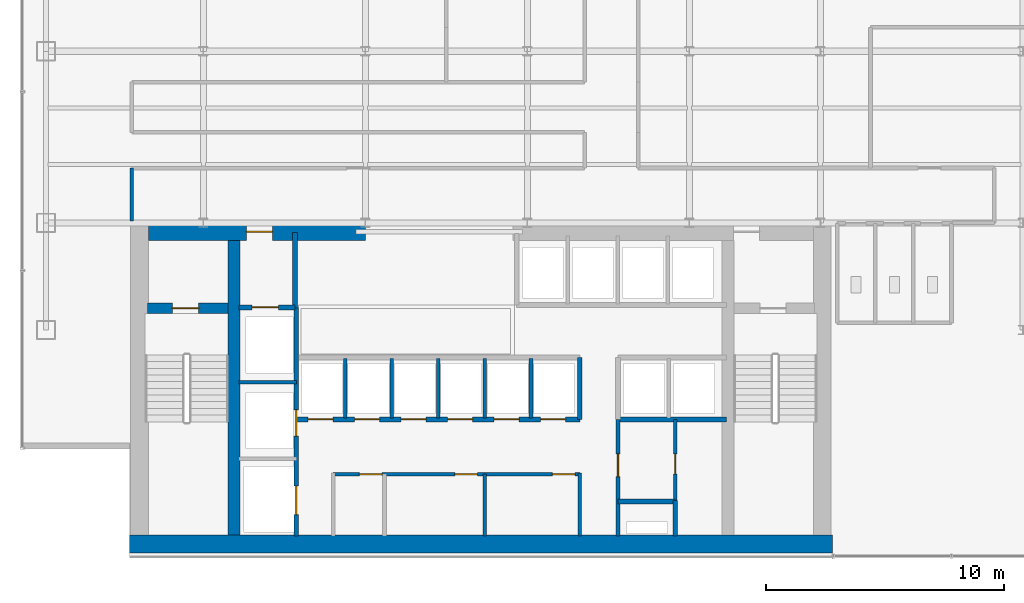
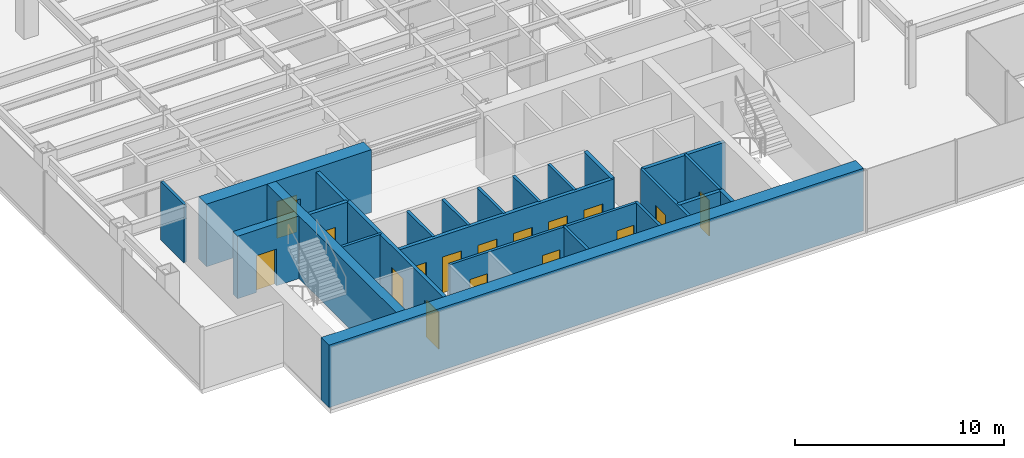
# One storey, part 21 of 26: 24 walls, 16 doors, 16 openings.
"""IFC4 building model written with IfcOpenShell, lengths in metres."""

import ifcopenshell
import ifcopenshell.guid

model = None  # the IFC model being written
_history = None  # IfcOwnerHistory: only IFC2X3 demands one
_inside = {}  # id of a spatial element -> (the spatial element, [elements in it])
_under = {}  # id of a project, library or spatial element -> (it, [spatial elements below it])
_declared = {}  # id of a project -> (the project, [libraries it declares])
_typed = {}  # id of a type object -> (the type object, [elements of that type])
_made_of = {}  # id of a material, layer set ... -> (it, [elements and type objects made of it])


def new_model(schema):
    """Start an empty IFC model of exactly this schema.

    Asked for "IFC4X3", IfcOpenShell would pick the latest addendum, in which some entities
    have other attributes; the version numbers below select the first issue.
    IFC2X3 requires an IfcOwnerHistory on every rooted entity: one is made here for all.
    """
    global model, _history
    if schema == "IFC4X3":
        model = ifcopenshell.file(schema_version=(4, 3, 0, 0))
    else:
        model = ifcopenshell.file(schema=schema)
    _inside.clear()
    _under.clear()
    _declared.clear()
    _typed.clear()
    _made_of.clear()
    _history = None
    if model.schema == "IFC2X3":
        org = make("IfcOrganization", Name="unknown")
        user = make(
            "IfcPersonAndOrganization",
            ThePerson=make("IfcPerson", FamilyName="unknown"),
            TheOrganization=org,
        )
        app = make(
            "IfcApplication",
            ApplicationDeveloper=org,
            Version="unknown",
            ApplicationFullName="unknown",
            ApplicationIdentifier="unknown",
        )
        _history = make(
            "IfcOwnerHistory",
            OwningUser=user,
            OwningApplication=app,
            ChangeAction="ADDED",
            CreationDate=0,
        )
    return model


def make(cls, **values):
    """One entity of the class cls with the attributes given. An attribute that is None is left unset."""
    return model.create_entity(
        cls, **{name: value for name, value in values.items() if value is not None}
    )


def rooted(cls, **values):
    """An entity with a GlobalId (a new one), such as an element, a storey or a relation."""
    return make(cls, GlobalId=ifcopenshell.guid.new(), OwnerHistory=_history, **values)


def si_unit(unit_type, name, prefix=None):
    """IfcSIUnit, for example si_unit("LENGTHUNIT", "METRE", prefix="MILLI")."""
    return make("IfcSIUnit", UnitType=unit_type, Prefix=prefix, Name=name)


def derived_unit(unit_type, elements):
    """IfcDerivedUnit: a product of units, each with its exponent."""
    return make(
        "IfcDerivedUnit",
        Elements=[
            make("IfcDerivedUnitElement", Unit=unit, Exponent=power)
            for unit, power in elements
        ],
        UnitType=unit_type,
    )


def assignment(units):
    """IfcUnitAssignment: the units of a project."""
    return None if units is None else make("IfcUnitAssignment", Units=units)


def point(xyz):
    """IfcCartesianPoint."""
    return None if xyz is None else make("IfcCartesianPoint", Coordinates=xyz)


def direction(xyz):
    """IfcDirection."""
    return None if xyz is None else make("IfcDirection", DirectionRatios=xyz)


def frame(location, z_axis=None, x_axis=None):
    """IfcAxis2Placement3D, a coordinate frame: its origin and axes. An axis left out is left unset."""
    return make(
        "IfcAxis2Placement3D",
        Location=point(location),
        Axis=direction(z_axis),
        RefDirection=direction(x_axis),
    )


def frame_2d(location, x_axis=None):
    """IfcAxis2Placement2D, a coordinate frame in the plane: its origin and x axis."""
    return make(
        "IfcAxis2Placement2D", Location=point(location), RefDirection=direction(x_axis)
    )


def origin():
    """The frame at (0, 0, 0) with its axes left unset."""
    return frame((0.0, 0.0, 0.0))


def place(relative_to, where):
    """IfcLocalPlacement: puts the frame where relative to a parent placement (None: the world)."""
    return make(
        "IfcLocalPlacement", PlacementRelTo=relative_to, RelativePlacement=where
    )


def context(
    kind, dimensions, precision=None, world=None, true_north=None, identifier=None
):
    """IfcGeometricRepresentationContext, for example the 3D "Model" context."""
    return make(
        "IfcGeometricRepresentationContext",
        ContextIdentifier=identifier,
        ContextType=kind,
        CoordinateSpaceDimension=dimensions,
        Precision=precision,
        WorldCoordinateSystem=world,
        TrueNorth=true_north,
    )


def subcontext(parent, identifier, kind, view, scale=None):
    """IfcGeometricRepresentationSubContext, for example "Body" below "Model"."""
    return make(
        "IfcGeometricRepresentationSubContext",
        ContextIdentifier=identifier,
        ContextType=kind,
        ParentContext=parent,
        TargetScale=scale,
        TargetView=view,
    )


def project(units=None, contexts=None):
    """IfcProject with its units and contexts."""
    return rooted(
        "IfcProject",
        Name="project",
        RepresentationContexts=contexts,
        UnitsInContext=assignment(units),
    )


def spatial(cls, under=None, at=None, **own):
    """A site, building, storey or space (cls), placed at a placement, below another one or the project."""
    s = rooted(cls, ObjectPlacement=at, **own)
    if under is not None:
        _under.setdefault(under.id(), (under, []))[1].append(s)
    return s


def profile(cls, at=None, kind="AREA", **sizes):
    """A parametric profile (cls). Its sizes go by their IFC names, for example OverallWidth=200.0."""
    return make(cls, ProfileType=kind, Position=at, **sizes)


def rectangle(**sizes):
    """IfcRectangleProfileDef."""
    return profile("IfcRectangleProfileDef", **sizes)


def extrude(swept, where, along, depth):
    """IfcExtrudedAreaSolid: the profile swept, set in the frame where, extruded along a direction by depth."""
    return make(
        "IfcExtrudedAreaSolid",
        SweptArea=swept,
        Position=where,
        ExtrudedDirection=direction(along),
        Depth=depth,
    )


def shape(context_of_items, identifier, shape_type, items):
    """IfcShapeRepresentation: the items that make up one representation, for example the "Body"."""
    return make(
        "IfcShapeRepresentation",
        ContextOfItems=context_of_items,
        RepresentationIdentifier=identifier,
        RepresentationType=shape_type,
        Items=items,
    )


def source(mapping_origin, context_of_items, identifier, shape_type, items):
    """IfcRepresentationMap: a shape defined once, which mapped items show again and again."""
    return make(
        "IfcRepresentationMap",
        MappingOrigin=mapping_origin,
        MappedRepresentation=shape(context_of_items, identifier, shape_type, items),
    )


def transform(
    local_origin,
    x_axis=None,
    y_axis=None,
    z_axis=None,
    scale=None,
    scale2=None,
    scale3=None,
    uniform=True,
):
    """IfcCartesianTransformationOperator3D, or its non-uniform kind. x_axis, y_axis, z_axis: its Axis1, 2, 3."""
    if uniform:
        return make(
            "IfcCartesianTransformationOperator3D",
            Axis1=direction(x_axis),
            Axis2=direction(y_axis),
            LocalOrigin=point(local_origin),
            Scale=scale,
            Axis3=direction(z_axis),
        )
    return make(
        "IfcCartesianTransformationOperator3DnonUniform",
        Axis1=direction(x_axis),
        Axis2=direction(y_axis),
        LocalOrigin=point(local_origin),
        Scale=scale,
        Axis3=direction(z_axis),
        Scale2=scale2,
        Scale3=scale3,
    )


def mapped(mapping_source, mapping_target):
    """IfcMappedItem: shows the shape of a source again, moved by a transform."""
    return make(
        "IfcMappedItem", MappingSource=mapping_source, MappingTarget=mapping_target
    )


def material(Name=None, Category=None):
    """IfcMaterial."""
    return make("IfcMaterial", Name=Name, Category=Category)


def layer(
    of_material, thickness, ventilated=None, Name=None, Category=None, Priority=None
):
    """IfcMaterialLayer: one layer of a wall or slab, of a material (None: an air gap)."""
    return make(
        "IfcMaterialLayer",
        Material=of_material,
        LayerThickness=thickness,
        IsVentilated=ventilated,
        Name=Name,
        Category=Category,
        Priority=Priority,
    )


def layer_set(layers, Name=None):
    """IfcMaterialLayerSet."""
    return make("IfcMaterialLayerSet", MaterialLayers=layers, LayerSetName=Name)


def made_of(thing, what):
    """Note that an element or type object is made of a material, layer set ...; save() writes the relation."""
    if what is not None:
        _made_of.setdefault(what.id(), (what, []))[1].append(thing)
    return thing


def type_object(cls, material=None, **own):
    """A type object (cls), such as IfcWallType, which elements share."""
    return made_of(rooted(cls, **own), material)


def element(
    cls,
    number,
    at=None,
    inside=None,
    cuts=None,
    type_object=None,
    material=None,
    context=None,
    identifier="Body",
    shape_type=None,
    held_by="IfcProductDefinitionShape",
    body=None,
    shapes=None,
    **own,
):
    """One element of the class cls, such as IfcWall. Its Tag is "e" and its number.

    at: its placement. inside: the storey or other place that contains it. cuts: it is an
    opening in that element (IfcRelVoidsElement). A single representation is given by context,
    identifier, shape_type and body (its items); several are given by shapes. held_by: the class
    of the entity that holds the representations. save() writes the other relations.
    """
    e = rooted(cls, Tag="e%d" % number, ObjectPlacement=at, **own)
    if body is not None:
        shapes = [shape(context, identifier, shape_type, body)]
    if shapes is not None:
        e.Representation = make(held_by, Representations=shapes)
    if inside is not None:
        _inside.setdefault(inside.id(), (inside, []))[1].append(e)
    if cuts is not None:
        rooted(
            "IfcRelVoidsElement", RelatingBuildingElement=cuts, RelatedOpeningElement=e
        )
    if type_object is not None:
        _typed.setdefault(type_object.id(), (type_object, []))[1].append(e)
    return made_of(e, material)


def fill(opening, filler):
    """IfcRelFillsElement: the door or window that sits in an opening."""
    return rooted(
        "IfcRelFillsElement",
        RelatingOpeningElement=opening,
        RelatedBuildingElement=filler,
    )


def aggregate(whole, parts):
    """IfcRelAggregates: a whole, such as a stair, and the parts it consists of."""
    return rooted("IfcRelAggregates", RelatingObject=whole, RelatedObjects=parts)


def save(model, path):
    """Write the relations noted so far, then the file.

    IfcRelAggregates (storeys below a building ...), IfcRelContainedInSpatialStructure (elements
    in a storey), IfcRelDefinesByType, IfcRelAssociatesMaterial and IfcRelDeclares: one each for
    every whole, place, type object, material and project.
    """
    for whole, parts in _under.values():
        aggregate(whole, parts)
    for where, things in _inside.values():
        rooted(
            "IfcRelContainedInSpatialStructure",
            RelatedElements=things,
            RelatingStructure=where,
        )
    for kind, things in _typed.values():
        rooted("IfcRelDefinesByType", RelatedObjects=things, RelatingType=kind)
    for what, things in _made_of.values():
        rooted("IfcRelAssociatesMaterial", RelatedObjects=things, RelatingMaterial=what)
    for by, libraries in _declared.values():
        rooted("IfcRelDeclares", RelatingContext=by, RelatedDefinitions=libraries)
    model.write(path)


model = new_model("IFC4")

# Units and contexts
model_context = context("Model", 3, precision=1e-05, world=origin(), true_north=direction((0.0, 1.0)))
body_context = subcontext(model_context, "Body", "Model", "MODEL_VIEW")
ifc_project = project(units=[si_unit("LENGTHUNIT", "METRE"), si_unit("AREAUNIT", "SQUARE_METRE"), si_unit("VOLUMEUNIT", "CUBIC_METRE"), si_unit("PLANEANGLEUNIT", "RADIAN"), si_unit("MASSUNIT", "GRAM", prefix="KILO"), derived_unit("THERMALTRANSMITTANCEUNIT", [(si_unit("POWERUNIT", "WATT"), 1), (si_unit("LENGTHUNIT", "METRE"), -2), (si_unit("THERMODYNAMICTEMPERATUREUNIT", "KELVIN"), -1)])], contexts=[model_context])

# Site, building, storey
site_placement = place(None, origin())
site = spatial("IfcSite", under=ifc_project, at=site_placement, CompositionType="ELEMENT")
building_placement = place(site_placement, origin())
building = spatial("IfcBuilding", under=site, at=building_placement, Name="Skarnbrae Concourse Arena and Tower", CompositionType="ELEMENT")
storey_placement = place(building_placement, frame((0.0, 0.0, 114.199951171875)))
storey = spatial("IfcBuildingStorey", under=building, at=storey_placement, Name="L28", CompositionType="ELEMENT", Elevation=114.199951171875)

# Wall, opening, door
ifc_material_1 = material(Name="Concrete 50 MPa (C50/60)", Category="concrete")
ifc_layer_1 = layer(ifc_material_1, 0.449951171875)
ifc_layer_set_1 = layer_set([ifc_layer_1], Name="Concrete 50 MPa (C50/60)")
wall_type_1 = type_object("IfcWallType", Name="WALL-CORE-450-C50", PredefinedType="SHEAR", material=ifc_layer_set_1)
shared_shape_1 = source(origin(), body_context, "Body", "SweptSolid", [
    extrude(rectangle(XDim=3.389892578125, YDim=0.449951171875, at=frame_2d((1.69482421875, 0.0))), origin(), (0.0, 0.0, 1.0), 3.650146484375),
])
wall_1_placement = place(storey_placement, frame((5.25, 10.419921875, 0.0), z_axis=(0.0, 0.0, 1.0), x_axis=(1.0, 0.0, 0.0)))
wall_1 = element("IfcWall", 1, at=wall_1_placement, inside=storey, type_object=wall_type_1, Name="L28 Rear core shear wall CW-ST1-N", PredefinedType="SHEAR", context=body_context, shape_type="MappedRepresentation", body=[
    mapped(shared_shape_1, transform((0.0, 0.0, 0.0))),
])
opening_1_placement = place(wall_1_placement, frame((1.050048828125, 0.0, 0.0)))
opening_1 = element("IfcOpeningElement", 2, at=opening_1_placement, cuts=wall_1, Name="Opening DT-03", PredefinedType="OPENING", context=body_context, shape_type="SweptSolid", body=[
    extrude(rectangle(XDim=1.10009765625, YDim=2.14990234375, at=frame_2d((0.550048828125, 1.074951171875))), frame((0.0, 0.23486328125, 0.0), z_axis=(0.0, -1.0, 0.0), x_axis=(1.0, 0.0, 0.0)), (0.0, 0.0, 1.0), 0.469970703125),
])
ifc_material_2 = material(Name="Steel CSA G40.21 350W", Category="steel")
door_type_1 = type_object("IfcDoorType", Name="DOOR-FIRE-1100-90M", OperationType="NOTDEFINED", PredefinedType="DOOR", material=ifc_material_2)
shared_shape_2 = source(origin(), body_context, "Body", "SweptSolid", [
    extrude(rectangle(XDim=1.10009765625, YDim=2.14990234375, at=frame_2d((0.550048828125, 1.074951171875))), frame((0.0, 0.02490234375, 0.0), z_axis=(0.0, -1.0, 0.0), x_axis=(1.0, 0.0, 0.0)), (0.0, 0.0, 1.0), 0.050048828125),
])
door_1_placement = place(opening_1_placement, frame((1.10009765625, 0.0, 0.0), z_axis=(0.0, 0.0, 1.0), x_axis=(-1.0, 0.0, 0.0)))
door_1 = element("IfcDoor", 3, at=door_1_placement, inside=storey, type_object=door_type_1, Name="D-0921 Stair ST-1 Door", OperationType="SINGLE_SWING_LEFT", OverallHeight=2.14990234375, OverallWidth=1.10009765625, PredefinedType="DOOR", context=body_context, shape_type="MappedRepresentation", body=[
    mapped(shared_shape_2, transform((0.0, 0.0, 0.0))),
])
fill(opening_1, door_1)

# Wall
ifc_material_3 = material(Name="Concrete 60 MPa (C60/75)", Category="concrete")
ifc_layer_2 = layer(ifc_material_3, 0.75)
ifc_layer_set_2 = layer_set([ifc_layer_2], Name="Concrete 60 MPa (C60/75)")
wall_type_2 = type_object("IfcWallType", Name="WALL-CORE-750-C60", PredefinedType="SHEAR", material=ifc_layer_set_2)
shared_shape_3 = source(origin(), body_context, "Body", "SweptSolid", [
    extrude(rectangle(XDim=29.5, YDim=0.75, at=frame_2d((14.75, 0.0))), origin(), (0.0, 0.0, 1.0), 3.650146484375),
])
wall_2_placement = place(storey_placement, frame((4.5, 0.52490234375, 0.0), z_axis=(0.0, 0.0, 1.0), x_axis=(1.0, 0.0, 0.0)))
element("IfcWall", 4, at=wall_2_placement, inside=storey, type_object=wall_type_2, Name="L28 Rear core shear wall CW-S", PredefinedType="SHEAR", context=body_context, shape_type="MappedRepresentation", body=[
    mapped(shared_shape_3, transform((0.0, 0.0, 0.0))),
])

# Wall, opening, door
shared_shape_4 = source(origin(), body_context, "Body", "SweptSolid", [
    extrude(rectangle(XDim=9.099853515625, YDim=0.75, at=frame_2d((4.5498046875, 0.0))), origin(), (0.0, 0.0, 1.0), 3.650146484375),
])
wall_3_placement = place(storey_placement, frame((5.300048828125, 13.625, 0.0), z_axis=(0.0, 0.0, 1.0), x_axis=(1.0, 0.0, 0.0)))
wall_3 = element("IfcWall", 5, at=wall_3_placement, inside=storey, type_object=wall_type_2, Name="L28 Rear core shear wall CW-NW", PredefinedType="SHEAR", context=body_context, shape_type="MappedRepresentation", body=[
    mapped(shared_shape_4, transform((0.0, 0.0, 0.0))),
])
opening_2_placement = place(wall_3_placement, frame((4.10009765625, 0.0, 0.0)))
opening_2 = element("IfcOpeningElement", 6, at=opening_2_placement, cuts=wall_3, Name="Opening DT-03", PredefinedType="OPENING", context=body_context, shape_type="SweptSolid", body=[
    extrude(rectangle(XDim=1.10009765625, YDim=2.14990234375, at=frame_2d((0.550048828125, 1.074951171875))), frame((0.0, 0.385009765625, 0.0), z_axis=(0.0, -1.0, 0.0), x_axis=(1.0, 0.0, 0.0)), (0.0, 0.0, 1.0), 0.77001953125),
])
door_2_placement = place(opening_2_placement, origin())
door_2 = element("IfcDoor", 7, at=door_2_placement, inside=storey, type_object=door_type_1, Name="D-0923 Firefighting Lobby Exit Door", OperationType="SINGLE_SWING_RIGHT", OverallHeight=2.14990234375, OverallWidth=1.10009765625, PredefinedType="DOOR", context=body_context, shape_type="MappedRepresentation", body=[
    mapped(shared_shape_2, transform((0.0, 0.0, 0.0))),
])
fill(opening_2, door_2)

# Walls
ifc_layer_3 = layer(ifc_material_3, 0.5)
ifc_layer_set_3 = layer_set([ifc_layer_3], Name="Concrete 60 MPa (C60/75)")
wall_type_3 = type_object("IfcWallType", Name="WALL-CORE-500-C60", PredefinedType="SHEAR", material=ifc_layer_set_3)
shared_shape_5 = source(origin(), body_context, "Body", "SweptSolid", [
    extrude(rectangle(XDim=12.35009765625, YDim=0.5, at=frame_2d((6.175048828125, 0.0))), origin(), (0.0, 0.0, 1.0), 3.650146484375),
])
wall_4_placement = place(storey_placement, frame((8.889892578125, 0.89990234375, 0.0), z_axis=(0.0, 0.0, 1.0), x_axis=(0.0, 1.0, 0.0)))
element("IfcWall", 8, at=wall_4_placement, inside=storey, type_object=wall_type_3, Name="L28 Rear core shear wall CW-WEB-W", PredefinedType="SHEAR", context=body_context, shape_type="MappedRepresentation", body=[
    mapped(shared_shape_5, transform((0.0, 0.0, 0.0))),
])
ifc_material_4 = material(Name="Gypsum board on cold-formed steel studs", Category="steel")
ifc_layer_4 = layer(ifc_material_4, 0.199951171875)
ifc_layer_set_4 = layer_set([ifc_layer_4], Name="Gypsum board on cold-formed steel studs")
wall_type_4 = type_object("IfcWallType", Name="WALL-PART-200-2HR", PredefinedType="PARTITIONING", material=ifc_layer_set_4)
shared_shape_6 = source(origin(), body_context, "Body", "SweptSolid", [
    extrude(rectangle(XDim=3.18017578125, YDim=0.199951171875, at=frame_2d((1.590087890625, 0.0))), origin(), (0.0, 0.0, 1.0), 3.400146484375),
])
wall_5_placement = place(storey_placement, frame((11.449951171875, 10.419921875, 0.0), z_axis=(0.0, 0.0, 1.0), x_axis=(0.0, 1.0, 0.0)))
element("IfcWall", 9, at=wall_5_placement, inside=storey, type_object=wall_type_4, Name="L28 Interior partition wall W-L28-FFL-E", PredefinedType="PARTITIONING", context=body_context, shape_type="MappedRepresentation", body=[
    mapped(shared_shape_6, transform((0.0, 0.0, 0.0))),
])

# Wall, opening, door
shared_shape_7 = source(origin(), body_context, "Body", "SweptSolid", [
    extrude(rectangle(XDim=2.349853515625, YDim=0.199951171875, at=frame_2d((1.1748046875, 0.0))), origin(), (0.0, 0.0, 1.0), 3.400146484375),
])
wall_6_placement = place(storey_placement, frame((9.10009765625, 10.449951171875, 0.0), z_axis=(0.0, 0.0, 1.0), x_axis=(1.0, 0.0, 0.0)))
wall_6 = element("IfcWall", 10, at=wall_6_placement, inside=storey, type_object=wall_type_4, Name="L28 Interior partition wall W-L28-FL1-N", PredefinedType="PARTITIONING", context=body_context, shape_type="MappedRepresentation", body=[
    mapped(shared_shape_7, transform((0.0, 0.0, 0.0))),
])
opening_3_placement = place(wall_6_placement, frame((0.550048828125, 0.0, 0.0)))
opening_3 = element("IfcOpeningElement", 11, at=opening_3_placement, cuts=wall_6, Name="Opening LD-01", PredefinedType="OPENING", context=body_context, shape_type="SweptSolid", body=[
    extrude(rectangle(XDim=1.10009765625, YDim=2.14990234375, at=frame_2d((0.550048828125, 1.074951171875))), frame((0.0, 0.10986328125, 0.0), z_axis=(0.0, -1.0, 0.0), x_axis=(1.0, 0.0, 0.0)), (0.0, 0.0, 1.0), 0.219970703125),
])
door_type_2 = type_object("IfcDoorType", Name="DOOR-LIFT-SLIDE-1100", OperationType="SLIDING_TO_LEFT", PredefinedType="DOOR", material=ifc_material_2)
door_3_placement = place(opening_3_placement, origin())
door_3 = element("IfcDoor", 12, at=door_3_placement, inside=storey, type_object=door_type_2, Name="D-0925 Firefighting Lift Landing Door FL-01", OperationType="SLIDING_TO_LEFT", OverallHeight=2.14990234375, OverallWidth=1.10009765625, PredefinedType="DOOR", context=body_context, shape_type="MappedRepresentation", body=[
    mapped(shared_shape_2, transform((0.0, 0.0, 0.0))),
])
fill(opening_3, door_3)

# Wall, openings, doors
shared_shape_8 = source(origin(), body_context, "Body", "SweptSolid", [
    extrude(rectangle(XDim=9.599853515625, YDim=0.199951171875, at=frame_2d((4.7998046875, 0.0))), origin(), (0.0, 0.0, 1.0), 3.400146484375),
])
wall_7_placement = place(storey_placement, frame((11.5, 0.85009765625, 0.0), z_axis=(0.0, 0.0, 1.0), x_axis=(0.0, 1.0, 0.0)))
wall_7 = element("IfcWall", 13, at=wall_7_placement, inside=storey, type_object=wall_type_4, Name="L28 Interior partition wall W-L28-FL-E", PredefinedType="PARTITIONING", context=body_context, shape_type="MappedRepresentation", body=[
    mapped(shared_shape_8, transform((0.0, 0.0, 0.0))),
])
opening_4_placement = place(wall_7_placement, frame((4.199951171875, 0.0, 0.0)))
opening_4 = element("IfcOpeningElement", 14, at=opening_4_placement, cuts=wall_7, Name="Opening LD-01", PredefinedType="OPENING", context=body_context, shape_type="SweptSolid", body=[
    extrude(rectangle(XDim=1.10009765625, YDim=2.14990234375, at=frame_2d((0.550048828125, 1.074951171875))), frame((0.0, 0.10986328125, 0.0), z_axis=(0.0, -1.0, 0.0), x_axis=(1.0, 0.0, 0.0)), (0.0, 0.0, 1.0), 0.219970703125),
])
opening_5_placement = place(wall_7_placement, frame((0.89990234375, 0.0, 0.0)))
opening_5 = element("IfcOpeningElement", 15, at=opening_5_placement, cuts=wall_7, Name="Opening LD-02", PredefinedType="OPENING", context=body_context, shape_type="SweptSolid", body=[
    extrude(rectangle(XDim=1.199951171875, YDim=2.14990234375, at=frame_2d((0.60009765625, 1.074951171875))), frame((0.0, 0.10986328125, 0.0), z_axis=(0.0, -1.0, 0.0), x_axis=(1.0, 0.0, 0.0)), (0.0, 0.0, 1.0), 0.219970703125),
])
door_4_placement = place(opening_4_placement, frame((1.10009765625, 0.0, 0.0), z_axis=(0.0, 0.0, 1.0), x_axis=(-1.0, 0.0, 0.0)))
door_4 = element("IfcDoor", 16, at=door_4_placement, inside=storey, type_object=door_type_2, Name="D-0926 Firefighting Lift Landing Door FL-02", OperationType="SLIDING_TO_LEFT", OverallHeight=2.14990234375, OverallWidth=1.10009765625, PredefinedType="DOOR", context=body_context, shape_type="MappedRepresentation", body=[
    mapped(shared_shape_2, transform((0.0, 0.0, 0.0))),
])
fill(opening_4, door_4)
door_type_3 = type_object("IfcDoorType", Name="DOOR-LIFT-SLIDE-1200", OperationType="SLIDING_TO_LEFT", PredefinedType="DOOR", material=ifc_material_2)
shared_shape_9 = source(origin(), body_context, "Body", "SweptSolid", [
    extrude(rectangle(XDim=1.199951171875, YDim=2.14990234375, at=frame_2d((0.60009765625, 1.074951171875))), frame((0.0, 0.02490234375, 0.0), z_axis=(0.0, -1.0, 0.0), x_axis=(1.0, 0.0, 0.0)), (0.0, 0.0, 1.0), 0.050048828125),
])
door_5_placement = place(opening_5_placement, frame((1.199951171875, 0.0, 0.0), z_axis=(0.0, 0.0, 1.0), x_axis=(-1.0, 0.0, 0.0)))
door_5 = element("IfcDoor", 17, at=door_5_placement, inside=storey, type_object=door_type_3, Name="D-0927 Service Lift Landing Door SV-01", OperationType="SLIDING_TO_LEFT", OverallHeight=2.14990234375, OverallWidth=1.199951171875, PredefinedType="DOOR", context=body_context, shape_type="MappedRepresentation", body=[
    mapped(shared_shape_9, transform((0.0, 0.0, 0.0))),
])
fill(opening_5, door_5)

# Walls
ifc_layer_5 = layer(ifc_material_4, 0.14990234375)
ifc_layer_set_5 = layer_set([ifc_layer_5], Name="Gypsum board on cold-formed steel studs")
wall_type_5 = type_object("IfcWallType", Name="WALL-PART-150", PredefinedType="PARTITIONING", material=ifc_layer_set_5)
shared_shape_10 = source(origin(), body_context, "Body", "SweptSolid", [
    extrude(rectangle(XDim=2.39990234375, YDim=0.14990234375, at=frame_2d((1.199951171875, 0.0))), origin(), (0.0, 0.0, 1.0), 3.400146484375),
])
wall_8_placement = place(storey_placement, frame((9.10009765625, 7.300048828125, 0.0), z_axis=(0.0, 0.0, 1.0), x_axis=(1.0, 0.0, 0.0)))
element("IfcWall", 18, at=wall_8_placement, inside=storey, type_object=wall_type_5, Name="L28 Interior partition wall W-L28-FL-D2", PredefinedType="PARTITIONING", context=body_context, shape_type="MappedRepresentation", body=[
    mapped(shared_shape_10, transform((0.0, 0.0, 0.0))),
])
shared_shape_11 = source(origin(), body_context, "Body", "SweptSolid", [
    extrude(rectangle(XDim=2.599853515625, YDim=0.14990234375, at=frame_2d((1.2998046875, 0.0))), origin(), (0.0, 0.0, 1.0), 3.400146484375),
])
wall_9_placement = place(storey_placement, frame((19.39990234375, 0.85009765625, 0.0), z_axis=(0.0, 0.0, 1.0), x_axis=(0.0, 1.0, 0.0)))
element("IfcWall", 19, at=wall_9_placement, inside=storey, type_object=wall_type_5, Name="L28 Interior partition wall W-L28-B1M-C2", PredefinedType="PARTITIONING", context=body_context, shape_type="MappedRepresentation", body=[
    mapped(shared_shape_11, transform((0.0, 0.0, 0.0))),
])

# Wall, openings, doors
shared_shape_12 = source(origin(), body_context, "Body", "SweptSolid", [
    extrude(rectangle(XDim=11.849853515625, YDim=0.199951171875, at=frame_2d((5.9248046875, 0.0))), origin(), (0.0, 0.0, 1.0), 3.400146484375),
])
wall_10_placement = place(storey_placement, frame((11.550048828125, 5.75, 0.0), z_axis=(0.0, 0.0, 1.0), x_axis=(1.0, 0.0, 0.0)))
wall_10 = element("IfcWall", 20, at=wall_10_placement, inside=storey, type_object=wall_type_4, Name="L28 Interior partition wall W-L28-B2-S", PredefinedType="PARTITIONING", context=body_context, shape_type="MappedRepresentation", body=[
    mapped(shared_shape_12, transform((0.0, 0.0, 0.0))),
])
opening_6_placement = place(wall_10_placement, frame((0.449951171875, 0.0, 0.0)))
opening_6 = element("IfcOpeningElement", 21, at=opening_6_placement, cuts=wall_10, Name="Opening LD-03", PredefinedType="OPENING", context=body_context, shape_type="SweptSolid", body=[
    extrude(rectangle(XDim=1.050048828125, YDim=2.14990234375, at=frame_2d((0.52490234375, 1.074951171875))), frame((0.0, 0.10986328125, 0.0), z_axis=(0.0, -1.0, 0.0), x_axis=(1.0, 0.0, 0.0)), (0.0, 0.0, 1.0), 0.219970703125),
])
opening_7_placement = place(wall_10_placement, frame((2.39990234375, 0.0, 0.0)))
opening_7 = element("IfcOpeningElement", 22, at=opening_7_placement, cuts=wall_10, Name="Opening LD-03", PredefinedType="OPENING", context=body_context, shape_type="SweptSolid", body=[
    extrude(rectangle(XDim=1.050048828125, YDim=2.14990234375, at=frame_2d((0.52490234375, 1.074951171875))), frame((0.0, 0.10986328125, 0.0), z_axis=(0.0, -1.0, 0.0), x_axis=(1.0, 0.0, 0.0)), (0.0, 0.0, 1.0), 0.219970703125),
])
opening_8_placement = place(wall_10_placement, frame((4.35009765625, 0.0, 0.0)))
opening_8 = element("IfcOpeningElement", 23, at=opening_8_placement, cuts=wall_10, Name="Opening LD-03", PredefinedType="OPENING", context=body_context, shape_type="SweptSolid", body=[
    extrude(rectangle(XDim=1.050048828125, YDim=2.14990234375, at=frame_2d((0.52490234375, 1.074951171875))), frame((0.0, 0.10986328125, 0.0), z_axis=(0.0, -1.0, 0.0), x_axis=(1.0, 0.0, 0.0)), (0.0, 0.0, 1.0), 0.219970703125),
])
opening_9_placement = place(wall_10_placement, frame((6.300048828125, 0.0, 0.0)))
opening_9 = element("IfcOpeningElement", 24, at=opening_9_placement, cuts=wall_10, Name="Opening LD-03", PredefinedType="OPENING", context=body_context, shape_type="SweptSolid", body=[
    extrude(rectangle(XDim=1.050048828125, YDim=2.14990234375, at=frame_2d((0.52490234375, 1.074951171875))), frame((0.0, 0.10986328125, 0.0), z_axis=(0.0, -1.0, 0.0), x_axis=(1.0, 0.0, 0.0)), (0.0, 0.0, 1.0), 0.219970703125),
])
opening_10_placement = place(wall_10_placement, frame((8.25, 0.0, 0.0)))
opening_10 = element("IfcOpeningElement", 25, at=opening_10_placement, cuts=wall_10, Name="Opening LD-03", PredefinedType="OPENING", context=body_context, shape_type="SweptSolid", body=[
    extrude(rectangle(XDim=1.050048828125, YDim=2.14990234375, at=frame_2d((0.52490234375, 1.074951171875))), frame((0.0, 0.10986328125, 0.0), z_axis=(0.0, -1.0, 0.0), x_axis=(1.0, 0.0, 0.0)), (0.0, 0.0, 1.0), 0.219970703125),
])
opening_11_placement = place(wall_10_placement, frame((10.199951171875, 0.0, 0.0)))
opening_11 = element("IfcOpeningElement", 26, at=opening_11_placement, cuts=wall_10, Name="Opening LD-03", PredefinedType="OPENING", context=body_context, shape_type="SweptSolid", body=[
    extrude(rectangle(XDim=1.050048828125, YDim=2.14990234375, at=frame_2d((0.52490234375, 1.074951171875))), frame((0.0, 0.10986328125, 0.0), z_axis=(0.0, -1.0, 0.0), x_axis=(1.0, 0.0, 0.0)), (0.0, 0.0, 1.0), 0.219970703125),
])
ifc_material_5 = material(Name="Bronze anodised aluminium 6063-T6", Category="aluminium")
door_type_4 = type_object("IfcDoorType", Name="DOOR-LIFT-SLIDE-1050", OperationType="SLIDING_TO_LEFT", PredefinedType="DOOR", material=ifc_material_5)
shared_shape_13 = source(origin(), body_context, "Body", "SweptSolid", [
    extrude(rectangle(XDim=1.050048828125, YDim=2.14990234375, at=frame_2d((0.52490234375, 1.074951171875))), frame((0.0, 0.02490234375, 0.0), z_axis=(0.0, -1.0, 0.0), x_axis=(1.0, 0.0, 0.0)), (0.0, 0.0, 1.0), 0.050048828125),
])
door_6_placement = place(opening_6_placement, frame((1.050048828125, 0.0, 0.0), z_axis=(0.0, 0.0, 1.0), x_axis=(-1.0, 0.0, 0.0)))
door_6 = element("IfcDoor", 27, at=door_6_placement, inside=storey, type_object=door_type_4, Name="D-0931 Passenger Lift Landing Door PL-2A", OperationType="SLIDING_TO_LEFT", OverallHeight=2.14990234375, OverallWidth=1.050048828125, PredefinedType="DOOR", context=body_context, shape_type="MappedRepresentation", body=[
    mapped(shared_shape_13, transform((0.0, 0.0, 0.0))),
])
fill(opening_6, door_6)
door_7_placement = place(opening_7_placement, frame((1.050048828125, 0.0, 0.0), z_axis=(0.0, 0.0, 1.0), x_axis=(-1.0, 0.0, 0.0)))
door_7 = element("IfcDoor", 28, at=door_7_placement, inside=storey, type_object=door_type_4, Name="D-0932 Passenger Lift Landing Door PL-2B", OperationType="SLIDING_TO_LEFT", OverallHeight=2.14990234375, OverallWidth=1.050048828125, PredefinedType="DOOR", context=body_context, shape_type="MappedRepresentation", body=[
    mapped(shared_shape_13, transform((0.0, 0.0, 0.0))),
])
fill(opening_7, door_7)
door_8_placement = place(opening_8_placement, frame((1.050048828125, 0.0, 0.0), z_axis=(0.0, 0.0, 1.0), x_axis=(-1.0, 0.0, 0.0)))
door_8 = element("IfcDoor", 29, at=door_8_placement, inside=storey, type_object=door_type_4, Name="D-0933 Passenger Lift Landing Door PL-2C", OperationType="SLIDING_TO_LEFT", OverallHeight=2.14990234375, OverallWidth=1.050048828125, PredefinedType="DOOR", context=body_context, shape_type="MappedRepresentation", body=[
    mapped(shared_shape_13, transform((0.0, 0.0, 0.0))),
])
fill(opening_8, door_8)
door_9_placement = place(opening_9_placement, frame((1.050048828125, 0.0, 0.0), z_axis=(0.0, 0.0, 1.0), x_axis=(-1.0, 0.0, 0.0)))
door_9 = element("IfcDoor", 30, at=door_9_placement, inside=storey, type_object=door_type_4, Name="D-0934 Passenger Lift Landing Door PL-2D", OperationType="SLIDING_TO_LEFT", OverallHeight=2.14990234375, OverallWidth=1.050048828125, PredefinedType="DOOR", context=body_context, shape_type="MappedRepresentation", body=[
    mapped(shared_shape_13, transform((0.0, 0.0, 0.0))),
])
fill(opening_9, door_9)
door_10_placement = place(opening_10_placement, frame((1.050048828125, 0.0, 0.0), z_axis=(0.0, 0.0, 1.0), x_axis=(-1.0, 0.0, 0.0)))
door_10 = element("IfcDoor", 31, at=door_10_placement, inside=storey, type_object=door_type_4, Name="D-0935 Passenger Lift Landing Door PL-2E", OperationType="SLIDING_TO_LEFT", OverallHeight=2.14990234375, OverallWidth=1.050048828125, PredefinedType="DOOR", context=body_context, shape_type="MappedRepresentation", body=[
    mapped(shared_shape_13, transform((0.0, 0.0, 0.0))),
])
fill(opening_10, door_10)
door_11_placement = place(opening_11_placement, frame((1.050048828125, 0.0, 0.0), z_axis=(0.0, 0.0, 1.0), x_axis=(-1.0, 0.0, 0.0)))
door_11 = element("IfcDoor", 32, at=door_11_placement, inside=storey, type_object=door_type_4, Name="D-0936 Passenger Lift Landing Door PL-2F", OperationType="SLIDING_TO_LEFT", OverallHeight=2.14990234375, OverallWidth=1.050048828125, PredefinedType="DOOR", context=body_context, shape_type="MappedRepresentation", body=[
    mapped(shared_shape_13, transform((0.0, 0.0, 0.0))),
])
fill(opening_11, door_11)

# Walls
shared_shape_14 = source(origin(), body_context, "Body", "SweptSolid", [
    extrude(rectangle(XDim=2.60009765625, YDim=0.199951171875, at=frame_2d((1.300048828125, 0.0))), origin(), (0.0, 0.0, 1.0), 3.400146484375),
])
wall_11_placement = place(storey_placement, frame((23.39990234375, 5.75, 0.0), z_axis=(0.0, 0.0, 1.0), x_axis=(0.0, 1.0, 0.0)))
element("IfcWall", 33, at=wall_11_placement, inside=storey, type_object=wall_type_4, Name="L28 Interior partition wall W-L28-B2-E", PredefinedType="PARTITIONING", context=body_context, shape_type="MappedRepresentation", body=[
    mapped(shared_shape_14, transform((0.0, 0.0, 0.0))),
])
shared_shape_15 = source(origin(), body_context, "Body", "SweptSolid", [
    extrude(rectangle(XDim=2.5, YDim=0.14990234375, at=frame_2d((1.25, 0.0))), origin(), (0.0, 0.0, 1.0), 3.400146484375),
])
for number, where, z_axis, x_axis, name in (
    (34, (13.550048828125, 5.800048828125, 0.0), (0.0, 0.0, 1.0), (0.0, 1.0, 0.0), "L28 Interior partition wall W-L28-B2-P1"),
    (35, (15.5, 5.800048828125, 0.0), (0.0, 0.0, 1.0), (0.0, 1.0, 0.0), "L28 Interior partition wall W-L28-B2-P2"),
    (36, (17.449951171875, 5.800048828125, 0.0), (0.0, 0.0, 1.0), (0.0, 1.0, 0.0), "L28 Interior partition wall W-L28-B2-P3"),
    (37, (19.39990234375, 5.800048828125, 0.0), (0.0, 0.0, 1.0), (0.0, 1.0, 0.0), "L28 Interior partition wall W-L28-B2-P4"),
    (38, (21.35009765625, 5.800048828125, 0.0), (0.0, 0.0, 1.0), (0.0, 1.0, 0.0), "L28 Interior partition wall W-L28-B2-P5"),
):
    element("IfcWall", number, at=place(storey_placement, frame(where, z_axis=z_axis, x_axis=x_axis)), inside=storey, type_object=wall_type_5, Name=name, PredefinedType="PARTITIONING", context=body_context, shape_type="MappedRepresentation", body=[
        mapped(shared_shape_15, transform((0.0, 0.0, 0.0))),
    ])
shared_shape_16 = source(origin(), body_context, "Body", "SweptSolid", [
    extrude(rectangle(XDim=4.550048828125, YDim=0.199951171875, at=frame_2d((2.27490234375, 0.0))), origin(), (0.0, 0.0, 1.0), 3.400146484375),
])
wall_12_placement = place(storey_placement, frame((25.0, 5.75, 0.0), z_axis=(0.0, 0.0, 1.0), x_axis=(1.0, 0.0, 0.0)))
element("IfcWall", 39, at=wall_12_placement, inside=storey, type_object=wall_type_4, Name="L28 Interior partition wall W-L28-B3S-S", PredefinedType="PARTITIONING", context=body_context, shape_type="MappedRepresentation", body=[
    mapped(shared_shape_16, transform((0.0, 0.0, 0.0))),
])

# Wall, opening, door
ifc_layer_6 = layer(ifc_material_4, 0.14990234375)
ifc_layer_set_6 = layer_set([ifc_layer_6], Name="Gypsum board on cold-formed steel studs")
wall_type_6 = type_object("IfcWallType", Name="WALL-PART-150-1HR", PredefinedType="PARTITIONING", material=ifc_layer_set_6)
shared_shape_17 = source(origin(), body_context, "Body", "SweptSolid", [
    extrude(rectangle(XDim=4.89990234375, YDim=0.14990234375, at=frame_2d((2.449951171875, 0.0))), origin(), (0.0, 0.0, 1.0), 3.400146484375),
])
wall_13_placement = place(storey_placement, frame((25.0, 0.85009765625, 0.0), z_axis=(0.0, 0.0, 1.0), x_axis=(0.0, 1.0, 0.0)))
wall_13 = element("IfcWall", 40, at=wall_13_placement, inside=storey, type_object=wall_type_6, Name="L28 Interior partition wall W-L28-CSV-W", PredefinedType="PARTITIONING", context=body_context, shape_type="MappedRepresentation", body=[
    mapped(shared_shape_17, transform((0.0, 0.0, 0.0))),
])
opening_12_placement = place(wall_13_placement, frame((2.5, 0.0, 0.0)))
opening_12 = element("IfcOpeningElement", 41, at=opening_12_placement, cuts=wall_13, Name="Opening DT-04", PredefinedType="OPENING", context=body_context, shape_type="SweptSolid", body=[
    extrude(rectangle(XDim=0.949951171875, YDim=2.14990234375, at=frame_2d((0.47509765625, 1.074951171875))), frame((0.0, 0.0849609375, 0.0), z_axis=(0.0, -1.0, 0.0), x_axis=(1.0, 0.0, 0.0)), (0.0, 0.0, 1.0), 0.169921875),
])
door_type_5 = type_object("IfcDoorType", Name="DOOR-INT-950-45M", OperationType="NOTDEFINED", PredefinedType="DOOR", material=ifc_material_2)
shared_shape_18 = source(origin(), body_context, "Body", "SweptSolid", [
    extrude(rectangle(XDim=0.949951171875, YDim=2.14990234375, at=frame_2d((0.47509765625, 1.074951171875))), frame((0.0, 0.02490234375, 0.0), z_axis=(0.0, -1.0, 0.0), x_axis=(1.0, 0.0, 0.0)), (0.0, 0.0, 1.0), 0.050048828125),
])
door_12_placement = place(opening_12_placement, origin())
door_12 = element("IfcDoor", 42, at=door_12_placement, inside=storey, type_object=door_type_5, Name="D-0937 Core Pantry Door", OperationType="SINGLE_SWING_RIGHT", OverallHeight=2.14990234375, OverallWidth=0.949951171875, PredefinedType="DOOR", context=body_context, shape_type="MappedRepresentation", body=[
    mapped(shared_shape_18, transform((0.0, 0.0, 0.0))),
])
fill(opening_12, door_12)

# Walls
shared_shape_19 = source(origin(), body_context, "Body", "SweptSolid", [
    extrude(rectangle(XDim=2.39990234375, YDim=0.199951171875, at=frame_2d((1.199951171875, 0.0))), origin(), (0.0, 0.0, 1.0), 3.400146484375),
])
wall_14_placement = place(storey_placement, frame((25.0, 2.300048828125, 0.0), z_axis=(0.0, 0.0, 1.0), x_axis=(1.0, 0.0, 0.0)))
element("IfcWall", 43, at=wall_14_placement, inside=storey, type_object=wall_type_4, Name="L28 Interior partition wall W-L28-MEP-N", PredefinedType="PARTITIONING", context=body_context, shape_type="MappedRepresentation", body=[
    mapped(shared_shape_19, transform((0.0, 0.0, 0.0))),
])
shared_shape_20 = source(origin(), body_context, "Body", "SweptSolid", [
    extrude(rectangle(XDim=1.5, YDim=0.199951171875, at=frame_2d((0.75, 0.0))), origin(), (0.0, 0.0, 1.0), 3.400146484375),
])
wall_15_placement = place(storey_placement, frame((27.39990234375, 0.85009765625, 0.0), z_axis=(0.0, 0.0, 1.0), x_axis=(0.0, 1.0, 0.0)))
element("IfcWall", 44, at=wall_15_placement, inside=storey, type_object=wall_type_4, Name="L28 Interior partition wall W-L28-MEP-E", PredefinedType="PARTITIONING", context=body_context, shape_type="MappedRepresentation", body=[
    mapped(shared_shape_20, transform((0.0, 0.0, 0.0))),
])

# Wall, opening, door
shared_shape_21 = source(origin(), body_context, "Body", "SweptSolid", [
    extrude(rectangle(XDim=3.39990234375, YDim=0.14990234375, at=frame_2d((1.699951171875, 0.0))), origin(), (0.0, 0.0, 1.0), 3.400146484375),
])
wall_16_placement = place(storey_placement, frame((27.39990234375, 2.35009765625, 0.0), z_axis=(0.0, 0.0, 1.0), x_axis=(0.0, 1.0, 0.0)))
wall_16 = element("IfcWall", 45, at=wall_16_placement, inside=storey, type_object=wall_type_5, Name="L28 Interior partition wall W-L28-CSV-V", PredefinedType="PARTITIONING", context=body_context, shape_type="MappedRepresentation", body=[
    mapped(shared_shape_21, transform((0.0, 0.0, 0.0))),
])
opening_13_placement = place(wall_16_placement, frame((1.10009765625, 0.0, 0.0)))
opening_13 = element("IfcOpeningElement", 46, at=opening_13_placement, cuts=wall_16, Name="Opening DT-06", PredefinedType="OPENING", context=body_context, shape_type="SweptSolid", body=[
    extrude(rectangle(XDim=0.85009765625, YDim=2.10009765625, at=frame_2d((0.425048828125, 1.050048828125))), frame((0.0, 0.0849609375, 0.0), z_axis=(0.0, -1.0, 0.0), x_axis=(1.0, 0.0, 0.0)), (0.0, 0.0, 1.0), 0.169921875),
])
ifc_material_6 = material(Name="Architectural oak veneer timber leaf", Category="wood")
door_type_6 = type_object("IfcDoorType", Name="DOOR-INT-850", OperationType="NOTDEFINED", PredefinedType="DOOR", material=ifc_material_6)
shared_shape_22 = source(origin(), body_context, "Body", "SweptSolid", [
    extrude(rectangle(XDim=0.85009765625, YDim=2.10009765625, at=frame_2d((0.425048828125, 1.050048828125))), frame((0.0, 0.02490234375, 0.0), z_axis=(0.0, -1.0, 0.0), x_axis=(1.0, 0.0, 0.0)), (0.0, 0.0, 1.0), 0.050048828125),
])
door_13_placement = place(opening_13_placement, frame((0.85009765625, 0.0, 0.0), z_axis=(0.0, 0.0, 1.0), x_axis=(-1.0, 0.0, 0.0)))
door_13 = element("IfcDoor", 47, at=door_13_placement, inside=storey, type_object=door_type_6, Name="D-0938 Supply Cupboard Door", OperationType="SINGLE_SWING_LEFT", OverallHeight=2.10009765625, OverallWidth=0.85009765625, PredefinedType="DOOR", context=body_context, shape_type="MappedRepresentation", body=[
    mapped(shared_shape_22, transform((0.0, 0.0, 0.0))),
])
fill(opening_13, door_13)

# Wall
shared_shape_23 = source(origin(), body_context, "Body", "SweptSolid", [
    extrude(rectangle(XDim=2.64990234375, YDim=0.14990234375, at=frame_2d((1.324951171875, 0.0))), origin(), (0.0, 0.0, 1.0), 3.400146484375),
])
wall_17_placement = place(storey_placement, frame((23.39990234375, 0.85009765625, 0.0), z_axis=(0.0, 0.0, 1.0), x_axis=(0.0, 1.0, 0.0)))
element("IfcWall", 48, at=wall_17_placement, inside=storey, type_object=wall_type_6, Name="L28 Interior partition wall W-L28-B1M-E", PredefinedType="PARTITIONING", context=body_context, shape_type="MappedRepresentation", body=[
    mapped(shared_shape_23, transform((0.0, 0.0, 0.0))),
])

# Wall, openings, doors
shared_shape_24 = source(origin(), body_context, "Body", "SweptSolid", [
    extrude(rectangle(XDim=10.349853515625, YDim=0.14990234375, at=frame_2d((5.1748046875, 0.0))), origin(), (0.0, 0.0, 1.0), 3.400146484375),
])
wall_18_placement = place(storey_placement, frame((13.050048828125, 3.449951171875, 0.0), z_axis=(0.0, 0.0, 1.0), x_axis=(1.0, 0.0, 0.0)))
wall_18 = element("IfcWall", 49, at=wall_18_placement, inside=storey, type_object=wall_type_6, Name="L28 Interior partition wall W-L28-B1M-N", PredefinedType="PARTITIONING", context=body_context, shape_type="MappedRepresentation", body=[
    mapped(shared_shape_24, transform((0.0, 0.0, 0.0))),
])
opening_14_placement = place(wall_18_placement, frame((1.10009765625, 0.0, 0.0)))
opening_14 = element("IfcOpeningElement", 50, at=opening_14_placement, cuts=wall_18, Name="Opening DT-04", PredefinedType="OPENING", context=body_context, shape_type="SweptSolid", body=[
    extrude(rectangle(XDim=0.949951171875, YDim=2.14990234375, at=frame_2d((0.47509765625, 1.074951171875))), frame((0.0, 0.0849609375, 0.0), z_axis=(0.0, -1.0, 0.0), x_axis=(1.0, 0.0, 0.0)), (0.0, 0.0, 1.0), 0.169921875),
])
opening_15_placement = place(wall_18_placement, frame((5.10009765625, 0.0, 0.0)))
opening_15 = element("IfcOpeningElement", 51, at=opening_15_placement, cuts=wall_18, Name="Opening DT-04", PredefinedType="OPENING", context=body_context, shape_type="SweptSolid", body=[
    extrude(rectangle(XDim=0.949951171875, YDim=2.14990234375, at=frame_2d((0.47509765625, 1.074951171875))), frame((0.0, 0.0849609375, 0.0), z_axis=(0.0, -1.0, 0.0), x_axis=(1.0, 0.0, 0.0)), (0.0, 0.0, 1.0), 0.169921875),
])
opening_16_placement = place(wall_18_placement, frame((9.199951171875, 0.0, 0.0)))
opening_16 = element("IfcOpeningElement", 52, at=opening_16_placement, cuts=wall_18, Name="Opening DT-04", PredefinedType="OPENING", context=body_context, shape_type="SweptSolid", body=[
    extrude(rectangle(XDim=0.949951171875, YDim=2.14990234375, at=frame_2d((0.47509765625, 1.074951171875))), frame((0.0, 0.0849609375, 0.0), z_axis=(0.0, -1.0, 0.0), x_axis=(1.0, 0.0, 0.0)), (0.0, 0.0, 1.0), 0.169921875),
])
door_14_placement = place(opening_14_placement, origin())
door_14 = element("IfcDoor", 53, at=door_14_placement, inside=storey, type_object=door_type_5, Name="D-0928 Core Service Door 1", OperationType="SINGLE_SWING_LEFT", OverallHeight=2.14990234375, OverallWidth=0.949951171875, PredefinedType="DOOR", context=body_context, shape_type="MappedRepresentation", body=[
    mapped(shared_shape_18, transform((0.0, 0.0, 0.0))),
])
fill(opening_14, door_14)
door_15_placement = place(opening_15_placement, origin())
door_15 = element("IfcDoor", 54, at=door_15_placement, inside=storey, type_object=door_type_5, Name="D-0929 Core Service Door 2", OperationType="SINGLE_SWING_RIGHT", OverallHeight=2.14990234375, OverallWidth=0.949951171875, PredefinedType="DOOR", context=body_context, shape_type="MappedRepresentation", body=[
    mapped(shared_shape_18, transform((0.0, 0.0, 0.0))),
])
fill(opening_15, door_15)
door_16_placement = place(opening_16_placement, origin())
door_16 = element("IfcDoor", 55, at=door_16_placement, inside=storey, type_object=door_type_5, Name="D-0930 Core Service Door 3", OperationType="SINGLE_SWING_LEFT", OverallHeight=2.14990234375, OverallWidth=0.949951171875, PredefinedType="DOOR", context=body_context, shape_type="MappedRepresentation", body=[
    mapped(shared_shape_18, transform((0.0, 0.0, 0.0))),
])
fill(opening_16, door_16)

# Wall
shared_shape_25 = source(origin(), body_context, "Body", "SweptSolid", [
    extrude(rectangle(XDim=2.219970703125, YDim=0.14990234375, at=frame_2d((1.10986328125, 0.0))), origin(), (0.0, 0.0, 1.0), 3.400146484375),
])
wall_19_placement = place(storey_placement, frame((4.60009765625, 14.080078125, 0.0), z_axis=(0.0, 0.0, 1.0), x_axis=(0.0, 1.0, 0.0)))
element("IfcWall", 56, at=wall_19_placement, inside=storey, type_object=wall_type_6, Name="L28 Interior partition wall W-L28-COR-01", PredefinedType="PARTITIONING", context=body_context, shape_type="MappedRepresentation", body=[
    mapped(shared_shape_25, transform((0.0, 0.0, 0.0))),
])

save(model, "model.ifc")
